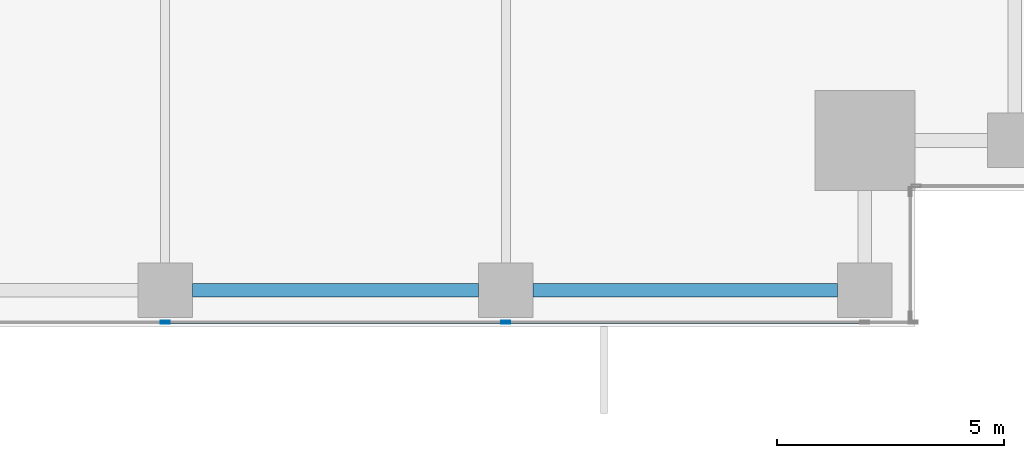
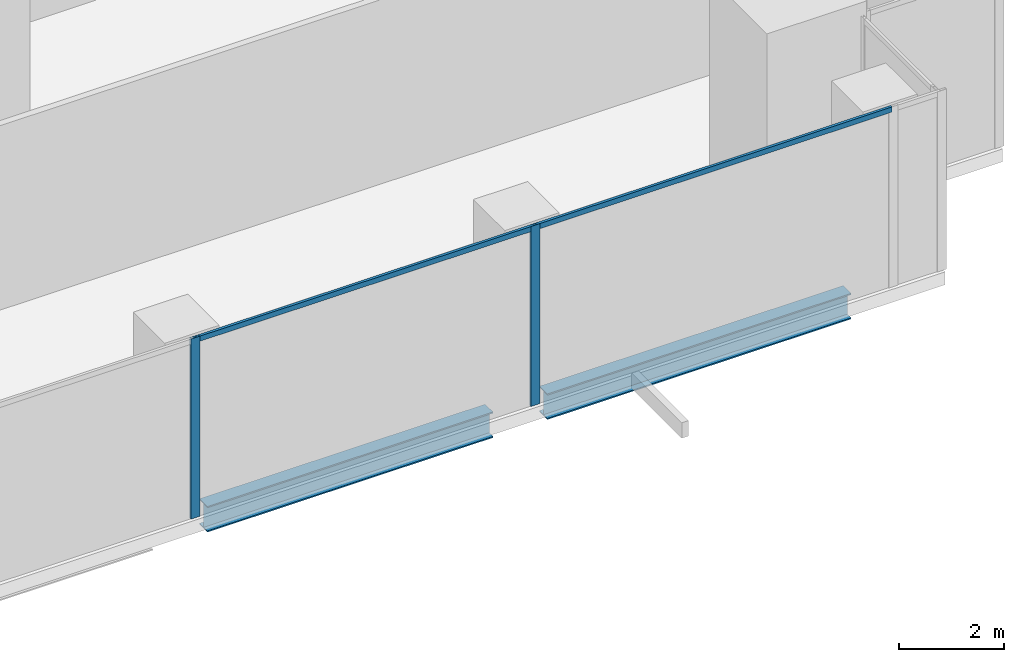
# One storey, part 7 of 33: 4 members, 2 beams, 1 element without a shape of its own.
"""IFC4 building model written with IfcOpenShell, lengths in metres."""

from ifc_helpers import new_model, si_unit, direction, frame, origin, origin_2d, place, context, subcontext, project, spatial, hollow_rectangle, i_section, extrude, source, transform, mapped, material, material_profile, profile_set, type_object, element, aggregate, save


model = new_model("IFC4")

# Units and contexts
model_context = context("Model", 3, precision=1e-05, world=origin(), true_north=direction((0.0, 1.0)))
body_context = subcontext(model_context, "Body", "Model", "MODEL_VIEW")
ifc_project = project(units=[si_unit("LENGTHUNIT", "METRE"), si_unit("AREAUNIT", "SQUARE_METRE"), si_unit("VOLUMEUNIT", "CUBIC_METRE"), si_unit("PLANEANGLEUNIT", "RADIAN"), si_unit("MASSUNIT", "GRAM", prefix="KILO")], contexts=[model_context])

# Site, building, storey
site_placement = place(None, origin())
site = spatial("IfcSite", under=ifc_project, at=site_placement, CompositionType="ELEMENT")
building_placement = place(site_placement, origin())
building = spatial("IfcBuilding", under=site, at=building_placement, Name="Khomas Fold Tower", CompositionType="ELEMENT")
storey_placement = place(building_placement, frame((0.0, 0.0, 55.5)))
storey = spatial("IfcBuildingStorey", under=building, at=storey_placement, Name="L11", CompositionType="ELEMENT", Elevation=55.5)

# Beams
ifc_material_1 = material(Name="Steel S355", Category="steel")
ifc_material_profile_1 = material_profile(ifc_material_1, i_section(OverallWidth=0.300048828125, OverallDepth=0.60009765625, WebThickness=0.015380859375, FlangeThickness=0.030029296875, at=origin_2d()), Name="HE 600 B")
ifc_profile_set_1 = profile_set([ifc_material_profile_1], Name="Steel S355")
beam_type = type_object("IfcBeamType", Name="HE 600 B spandrel SB1", PredefinedType="SPANDREL", material=ifc_profile_set_1)
shared_shape_1 = source(origin(), body_context, "Body", "SweptSolid", [
    extrude(i_section(OverallWidth=0.300048828125, OverallDepth=0.60009765625, WebThickness=0.015380859375, FlangeThickness=0.030029296875, at=origin_2d()), origin(), (0.0, 0.0, 1.0), 6.699951171875),
])
beam_1_placement = place(storey_placement, frame((42.60009765625, 0.800048828125, -0.60009765625), z_axis=(1.0, 0.0, 0.0), x_axis=(0.0, 1.0, 0.0)))
element("IfcBeam", 1, at=beam_1_placement, inside=storey, type_object=beam_type, Name="SB1", PredefinedType="SPANDREL", context=body_context, shape_type="MappedRepresentation", body=[
    mapped(shared_shape_1, transform((0.0, 0.0, 0.0))),
])
shared_shape_2 = source(origin(), body_context, "Body", "SweptSolid", [
    extrude(i_section(OverallWidth=0.300048828125, OverallDepth=0.60009765625, WebThickness=0.015380859375, FlangeThickness=0.030029296875, at=origin_2d()), origin(), (0.0, 0.0, 1.0), 6.2998046875),
])
beam_2_placement = place(storey_placement, frame((35.10009765625, 0.800048828125, -0.60009765625), z_axis=(1.0, 0.0, 0.0), x_axis=(0.0, 1.0, 0.0)))
element("IfcBeam", 2, at=beam_2_placement, inside=storey, type_object=beam_type, Name="SB1", PredefinedType="SPANDREL", context=body_context, shape_type="MappedRepresentation", body=[
    mapped(shared_shape_2, transform((0.0, 0.0, 0.0))),
])

# Curtain wall, members
ifc_material_2 = material(Name="Aluminium framed double glazing", Category="aluminium")
curtain_wall_type = type_object("IfcCurtainWallType", Name="SK-Unitised clear-glass wall, growing floors CW1", PredefinedType="NOTDEFINED", material=ifc_material_2)
curtain_wall_placement = place(storey_placement, origin())
curtain_wall = element("IfcCurtainWall", 3, at=curtain_wall_placement, inside=storey, type_object=curtain_wall_type, Name="CW1 run L11 00-0", PredefinedType="NOTDEFINED")
ifc_material_3 = material(Name="Aluminium", Category="aluminium")
ifc_material_profile_2 = material_profile(ifc_material_3, hollow_rectangle(XDim=0.06005859375, YDim=0.1201171875, WallThickness=0.00390625, at=origin_2d()), Name="SK-Unitised clear-glass wall, growing floors transom CW1-T")
ifc_profile_set_2 = profile_set([ifc_material_profile_2], Name="Aluminium")
member_type_1 = type_object("IfcMemberType", Name="SK-Unitised clear-glass wall, growing floors transom CW1-T", PredefinedType="USERDEFINED", material=ifc_profile_set_2)
shared_shape_3 = source(origin(), body_context, "Body", "SweptSolid", [
    extrude(hollow_rectangle(XDim=0.06005859375, YDim=0.1201171875, WallThickness=0.00390625, at=origin_2d()), origin(), (0.0, 0.0, 1.0), 7.840087890625),
])
member_1_placement = place(storey_placement, frame((42.030029296875, 0.10009765625, 4.139892578125), z_axis=(1.0, 0.0, 0.0), x_axis=(0.0, 1.0, 0.0)))
member_1 = element("IfcMember", 4, at=member_1_placement, type_object=member_type_1, Name="CW1 transom 7", ObjectType="TRANSOM", PredefinedType="USERDEFINED", context=body_context, shape_type="MappedRepresentation", body=[
    mapped(shared_shape_3, transform((0.0, 0.0, 0.0))),
])
shared_shape_4 = source(origin(), body_context, "Body", "SweptSolid", [
    extrude(hollow_rectangle(XDim=0.06005859375, YDim=0.1201171875, WallThickness=0.00390625, at=origin_2d()), origin(), (0.0, 0.0, 1.0), 7.43994140625),
])
member_2_placement = place(storey_placement, frame((34.530029296875, 0.10009765625, 4.139892578125), z_axis=(1.0, 0.0, 0.0), x_axis=(0.0, 1.0, 0.0)))
member_2 = element("IfcMember", 5, at=member_2_placement, type_object=member_type_1, Name="CW1 transom 6", ObjectType="TRANSOM", PredefinedType="USERDEFINED", context=body_context, shape_type="MappedRepresentation", body=[
    mapped(shared_shape_4, transform((0.0, 0.0, 0.0))),
])
ifc_material_4 = material(Name="Aluminium", Category="aluminium")
ifc_material_profile_3 = material_profile(ifc_material_4, hollow_rectangle(XDim=0.06005859375, YDim=0.199951171875, WallThickness=0.00390625, at=origin_2d()), Name="SK-Unitised clear-glass wall, growing floors mullion CW1-M")
ifc_profile_set_3 = profile_set([ifc_material_profile_3], Name="Aluminium")
member_type_2 = type_object("IfcMemberType", Name="SK-Unitised clear-glass wall, growing floors mullion CW1-M", PredefinedType="MULLION", material=ifc_profile_set_3)
shared_shape_5 = source(origin(), body_context, "Body", "SweptSolid", [
    extrude(hollow_rectangle(XDim=0.06005859375, YDim=0.199951171875, WallThickness=0.00390625, at=origin_2d()), origin(), (0.0, 0.0, 1.0), 4.199951171875),
])
member_3_placement = place(storey_placement, frame((34.5, 0.10009765625, 0.0), z_axis=(0.0, 0.0, 1.0), x_axis=(0.0, 1.0, 0.0)))
member_3 = element("IfcMember", 6, at=member_3_placement, type_object=member_type_2, Name="CW1 mullion 6", PredefinedType="MULLION", context=body_context, shape_type="MappedRepresentation", body=[
    mapped(shared_shape_5, transform((0.0, 0.0, 0.0))),
])
member_4_placement = place(storey_placement, frame((42.0, 0.10009765625, 0.0), z_axis=(0.0, 0.0, 1.0), x_axis=(0.0, 1.0, 0.0)))
member_4 = element("IfcMember", 7, at=member_4_placement, type_object=member_type_2, Name="CW1 mullion 7", PredefinedType="MULLION", context=body_context, shape_type="MappedRepresentation", body=[
    mapped(shared_shape_5, transform((0.0, 0.0, 0.0))),
])
aggregate(curtain_wall, [member_3, member_4, member_2, member_1])

save(model, "model.ifc")
